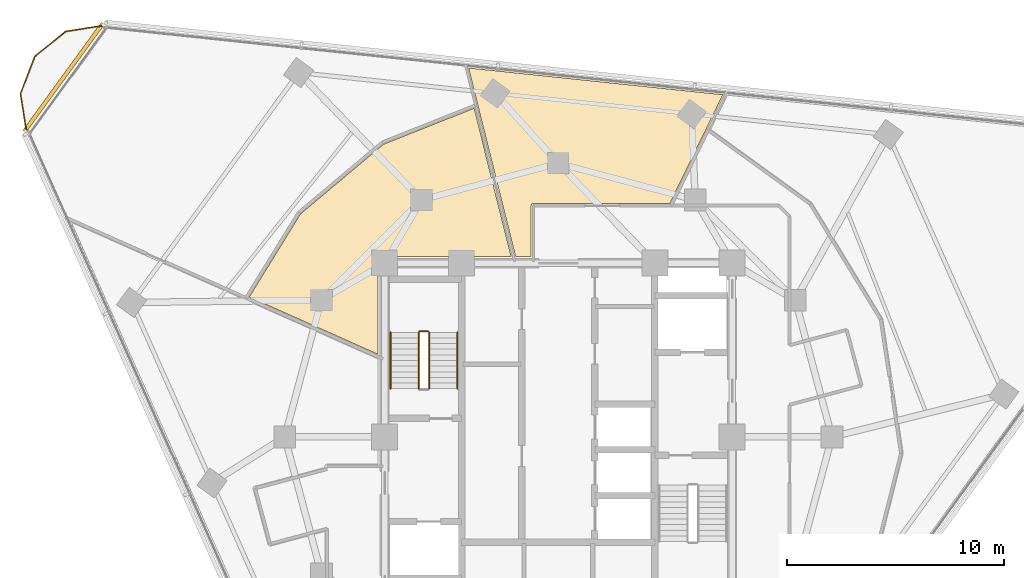
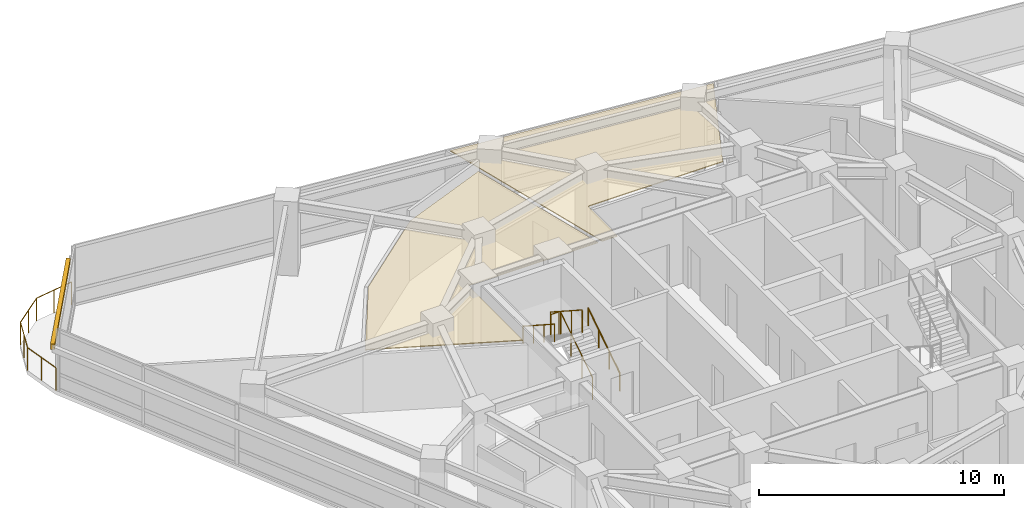
# One storey, part 14 of 15: 6 railings, 2 coverings, 1 shading device.
"""IFC4 building model written with IfcOpenShell, lengths in metres."""

from ifc_helpers import new_model, si_unit, direction, frame, origin, origin_2d, place, context, subcontext, project, spatial, polyline, rectangle, circle, outline, extrude, material, layer, layer_set, type_object, element, save


model = new_model("IFC4")

# Units and contexts
model_context = context("Model", 3, precision=1e-05, world=origin(), true_north=direction((0.0, 1.0)))
body_context = subcontext(model_context, "Body", "Model", "MODEL_VIEW")
ifc_project = project(units=[si_unit("LENGTHUNIT", "METRE"), si_unit("AREAUNIT", "SQUARE_METRE"), si_unit("VOLUMEUNIT", "CUBIC_METRE"), si_unit("PLANEANGLEUNIT", "RADIAN"), si_unit("MASSUNIT", "GRAM", prefix="KILO")], contexts=[model_context])

# Site, building, storey
site_placement = place(None, origin())
site = spatial("IfcSite", under=ifc_project, at=site_placement, CompositionType="ELEMENT")
building_placement = place(site_placement, origin())
building = spatial("IfcBuilding", under=site, at=building_placement, Name="Terralouvre Media Tower", CompositionType="ELEMENT")
storey_placement = place(building_placement, frame((0.0, 0.0, 237.39990234375)))
storey = spatial("IfcBuildingStorey", under=building, at=storey_placement, Name="L61", CompositionType="ELEMENT", Elevation=237.39990234375)

# Coverings
ifc_material_1 = material(Name="Perforated aluminium acoustic ceiling baffle", Category="aluminium")
ifc_layer_1 = layer(ifc_material_1, 0.0400390625, Name="Perforated Acoustic Metal Tile Ceiling CL-AC1")
ifc_layer_set_1 = layer_set([ifc_layer_1], Name="Perforated aluminium acoustic ceiling baffle")
covering_type = type_object("IfcCoveringType", Name="Perforated Acoustic Metal Tile Ceiling CL-AC1", PredefinedType="CEILING", material=ifc_layer_set_1)
covering_1_placement = place(storey_placement, frame((0.0, 0.0, 2.97998046875), z_axis=(0.0, 0.0, 1.0), x_axis=(0.587785252292, 0.809016994375, 0.0)))
element("IfcCovering", 1, at=covering_1_placement, inside=storey, type_object=covering_type, Name="L61 Legal Vetting Conference Room 8 Acoustic Ceiling", PredefinedType="CEILING", context=body_context, shape_type="SweptSolid", body=[
    extrude(outline(polyline([(5.565673828125, 6.477294921875), (5.98828125, 5.895751953125), (7.88134765625, 7.271240234375), (7.889404296875, 7.276611328125), (7.898193359375, 7.281005859375), (7.9072265625, 7.28466796875), (7.916748046875, 7.28759765625), (7.92626953125, 7.289306640625), (7.936279296875, 7.290283203125), (7.946044921875, 7.2900390625), (7.955810546875, 7.2890625), (7.96533203125, 7.287109375), (7.974609375, 7.2841796875), (7.983642578125, 7.2802734375), (7.992431640625, 7.275634765625), (8.00048828125, 7.27001953125), (8.008056640625, 7.263671875), (8.014892578125, 7.256591796875), (8.02099609375, 7.2490234375), (11.713134765625, 2.167236328125), (15.4658203125, 2.82861328125), (17.202392578125, 3.134521484375), (11.3154296875, 13.330322265625), (10.19287109375, 11.99267578125), (5.565673828125, 6.477294921875)])), origin(), (0.0, 0.0, 1.0), 0.0400390625),
])
covering_2_placement = place(storey_placement, frame((0.0, 0.0, 2.97998046875), z_axis=(0.0, 0.0, 1.0), x_axis=(0.587785252292, 0.809016994375, 0.0)))
element("IfcCovering", 2, at=covering_2_placement, inside=storey, type_object=covering_type, Name="L61 Fact-Check Reference Library 9 Acoustic Ceiling", PredefinedType="CEILING", context=body_context, shape_type="SweptSolid", body=[
    extrude(outline(polyline([(6.17626953125, 14.432861328125), (1.322509765625, 15.643310546875), (-3.150390625, 15.303955078125), (-1.802978515625, 8.9619140625), (1.757568359375, 11.548583984375), (1.765869140625, 11.553955078125), (1.7744140625, 11.55859375), (1.783447265625, 11.562255859375), (1.79296875, 11.56494140625), (1.802490234375, 11.56689453125), (1.8125, 11.567626953125), (1.822265625, 11.567626953125), (1.83203125, 11.56640625), (1.841552734375, 11.564453125), (1.850830078125, 11.5615234375), (1.85986328125, 11.5576171875), (1.86865234375, 11.552978515625), (1.876708984375, 11.54736328125), (1.88427734375, 11.541259765625), (1.89111328125, 11.5341796875), (1.897216796875, 11.526611328125), (5.444580078125, 6.64404296875), (9.966064453125, 12.033447265625), (6.17626953125, 14.432861328125)])), origin(), (0.0, 0.0, 1.0), 0.0400390625),
])

# Railings
ifc_material_2 = material(Name="Stainless steel 316 handrail and balustrade", Category="steel")
ifc_layer_2 = layer(ifc_material_2, 0.06005859375, Name="Roof Edge Safety Guardrail GR-ROOF1")
ifc_layer_set_2 = layer_set([ifc_layer_2], Name="Stainless steel 316 handrail and balustrade")
railing_type_1 = type_object("IfcRailingType", Name="Roof Edge Safety Guardrail GR-ROOF1", PredefinedType="GUARDRAIL", material=ifc_layer_set_2)
railing_1_placement = place(storey_placement, frame((-20.870361328125, 18.961181640625, 0.0)))
element("IfcRailing", 3, at=railing_1_placement, inside=storey, type_object=railing_type_1, Name="L61 Wind-Corner Perimeter Safety Guardrail C2", PredefinedType="GUARDRAIL", context=body_context, shape_type="SweptSolid", body=[
    extrude(circle(Radius=0.02099609375, at=origin_2d()), frame((0.0, 0.0, 1.12890625), z_axis=(-0.987731695444, -0.156160487372, 0.0), x_axis=(0.156160487372, -0.987731695444, 0.0)), (0.0, 0.0, 1.0), 1.8369140625),
    extrude(circle(Radius=0.02099609375, at=origin_2d()), frame((-1.814453125, -0.286865234375, 1.12890625), z_axis=(-0.777198436724, -0.629255583967, 0.0), x_axis=(0.629255583967, -0.777198436724, 0.0)), (0.0, 0.0, 1.0), 1.836669921875),
    extrude(circle(Radius=0.02099609375, at=origin_2d()), frame((-3.241943359375, -1.442626953125, 1.12890625), z_axis=(-0.35822186013, -0.933636491856, 0.0), x_axis=(0.933636491856, -0.35822186013, 0.0)), (0.0, 0.0, 1.0), 1.836669921875),
    extrude(circle(Radius=0.02099609375, at=origin_2d()), frame((-3.89990234375, -3.157470703125, 1.12890625), z_axis=(0.156699635824, -0.987646305178, 0.0), x_axis=(0.987646305178, 0.156699635824, 0.0)), (0.0, 0.0, 1.0), 1.8369140625),
    extrude(circle(Radius=0.01904296875, at=origin_2d()), origin(), (0.0, 0.0, 1.0), 1.10791015625),
    extrude(circle(Radius=0.01904296875, at=origin_2d()), frame((-0.9072265625, -0.1435546875, 0.0)), (0.0, 0.0, 1.0), 1.10791015625),
    extrude(circle(Radius=0.01904296875, at=origin_2d()), frame((-1.814453125, -0.286865234375, 0.0)), (0.0, 0.0, 1.0), 1.10791015625),
    extrude(circle(Radius=0.01904296875, at=origin_2d()), frame((-2.5283203125, -0.86474609375, 0.0)), (0.0, 0.0, 1.0), 1.10791015625),
    extrude(circle(Radius=0.01904296875, at=origin_2d()), frame((-3.241943359375, -1.442626953125, 0.0)), (0.0, 0.0, 1.0), 1.10791015625),
    extrude(circle(Radius=0.01904296875, at=origin_2d()), frame((-3.57080078125, -2.300048828125, 0.0)), (0.0, 0.0, 1.0), 1.10791015625),
    extrude(circle(Radius=0.01904296875, at=origin_2d()), frame((-3.89990234375, -3.157470703125, 0.0)), (0.0, 0.0, 1.0), 1.10791015625),
    extrude(circle(Radius=0.01904296875, at=origin_2d()), frame((-3.755859375, -4.064453125, 0.0)), (0.0, 0.0, 1.0), 1.10791015625),
    extrude(circle(Radius=0.01904296875, at=origin_2d()), frame((-3.612060546875, -4.9716796875, 0.0)), (0.0, 0.0, 1.0), 1.10791015625),
])
ifc_material_3 = material(Name="Stainless steel 316 handrail and balustrade", Category="steel")
ifc_layer_3 = layer(ifc_material_3, 0.050048828125, Name="Stair Flight Wall Handrail HR-INT1")
ifc_layer_set_3 = layer_set([ifc_layer_3], Name="Stainless steel 316 handrail and balustrade")
railing_type_2 = type_object("IfcRailingType", Name="Stair Flight Wall Handrail HR-INT1", PredefinedType="HANDRAIL", material=ifc_layer_set_3)
railing_2_placement = place(storey_placement, frame((-4.64990234375, 2.219970703125, 0.168212890625)))
element("IfcRailing", 4, at=railing_2_placement, inside=storey, type_object=railing_type_2, Name="L61 ST-01 stair handrail 1", PredefinedType="HANDRAIL", context=body_context, shape_type="SweptSolid", body=[
    extrude(circle(Radius=0.02392578125, at=origin_2d()), frame((0.0, 0.0, 0.8759765625), z_axis=(0.0, 0.839648411786, 0.543130320075), x_axis=(-1.0, 0.0, 0.0)), (0.0, 0.0, 1.0), 3.0966796875),
    extrude(circle(Radius=0.02099609375, at=origin_2d()), origin(), (0.0, 0.0, 1.0), 0.851806640625),
    extrude(circle(Radius=0.02099609375, at=origin_2d()), frame((0.0, 0.86669921875, 0.560546875)), (0.0, 0.0, 1.0), 0.851806640625),
    extrude(circle(Radius=0.02099609375, at=origin_2d()), frame((0.0, 1.7333984375, 1.121337890625)), (0.0, 0.0, 1.0), 0.851806640625),
    extrude(circle(Radius=0.02099609375, at=origin_2d()), frame((0.0, 2.60009765625, 1.681884765625)), (0.0, 0.0, 1.0), 0.851806640625),
])
railing_3_placement = place(storey_placement, frame((-7.72998046875, 4.820068359375, 2.018310546875)))
element("IfcRailing", 5, at=railing_3_placement, inside=storey, type_object=railing_type_2, Name="L61 ST-01 stair handrail 2", PredefinedType="HANDRAIL", context=body_context, shape_type="SweptSolid", body=[
    extrude(circle(Radius=0.02392578125, at=origin_2d()), frame((0.0, 0.0, 0.8759765625), z_axis=(0.0, -0.839648411786, 0.543130320075), x_axis=(1.0, 0.0, 0.0)), (0.0, 0.0, 1.0), 3.0966796875),
    extrude(circle(Radius=0.02099609375, at=origin_2d()), origin(), (0.0, 0.0, 1.0), 0.851806640625),
    extrude(circle(Radius=0.02099609375, at=origin_2d()), frame((0.0, -0.86669921875, 0.560546875)), (0.0, 0.0, 1.0), 0.851806640625),
    extrude(circle(Radius=0.02099609375, at=origin_2d()), frame((0.0, -1.7333984375, 1.121337890625)), (0.0, 0.0, 1.0), 0.851806640625),
    extrude(circle(Radius=0.02099609375, at=origin_2d()), frame((0.0, -2.60009765625, 1.681884765625)), (0.0, 0.0, 1.0), 0.851806640625),
])
ifc_material_4 = material(Name="Stainless steel 316 handrail and balustrade", Category="steel")
ifc_layer_4 = layer(ifc_material_4, 0.050048828125, Name="Stairwell Safety Guardrail GR-INT1")
ifc_layer_set_4 = layer_set([ifc_layer_4], Name="Stainless steel 316 handrail and balustrade")
railing_type_3 = type_object("IfcRailingType", Name="Stairwell Safety Guardrail GR-INT1", PredefinedType="GUARDRAIL", material=ifc_layer_set_4)
railing_4_placement = place(storey_placement, frame((-5.949951171875, 2.219970703125, 0.168212890625)))
element("IfcRailing", 6, at=railing_4_placement, inside=storey, type_object=railing_type_3, Name="L61 ST-01 stair guard 1", PredefinedType="GUARDRAIL", context=body_context, shape_type="SweptSolid", body=[
    extrude(circle(Radius=0.02392578125, at=origin_2d()), frame((0.0, 0.0, 1.1259765625), z_axis=(0.0, 0.839648411786, 0.543130320075), x_axis=(-1.0, 0.0, 0.0)), (0.0, 0.0, 1.0), 3.0966796875),
    extrude(circle(Radius=0.02099609375, at=origin_2d()), origin(), (0.0, 0.0, 1.0), 1.101806640625),
    extrude(circle(Radius=0.02099609375, at=origin_2d()), frame((0.0, 0.86669921875, 0.560546875)), (0.0, 0.0, 1.0), 1.101806640625),
    extrude(circle(Radius=0.02099609375, at=origin_2d()), frame((0.0, 1.7333984375, 1.121337890625)), (0.0, 0.0, 1.0), 1.101806640625),
    extrude(circle(Radius=0.02099609375, at=origin_2d()), frame((0.0, 2.60009765625, 1.681884765625)), (0.0, 0.0, 1.0), 1.101806640625),
])
railing_5_placement = place(storey_placement, frame((-6.0, 4.8701171875, 1.85009765625)))
element("IfcRailing", 7, at=railing_5_placement, inside=storey, type_object=railing_type_3, Name="L61 ST-01 stair guard 2", PredefinedType="GUARDRAIL", context=body_context, shape_type="SweptSolid", body=[
    extrude(circle(Radius=0.02392578125, at=origin_2d()), frame((0.0, 0.0, 1.1259765625), z_axis=(-1.0, 0.0, 0.0), x_axis=(0.0, -1.0, 0.0)), (0.0, 0.0, 1.0), 0.3798828125),
    extrude(circle(Radius=0.02099609375, at=origin_2d()), origin(), (0.0, 0.0, 1.0), 1.101806640625),
    extrude(circle(Radius=0.02099609375, at=origin_2d()), frame((-0.3798828125, 0.0, 0.0)), (0.0, 0.0, 1.0), 1.101806640625),
])
railing_6_placement = place(storey_placement, frame((-6.429931640625, 4.820068359375, 2.018310546875)))
element("IfcRailing", 8, at=railing_6_placement, inside=storey, type_object=railing_type_3, Name="L61 ST-01 stair guard 3", PredefinedType="GUARDRAIL", context=body_context, shape_type="SweptSolid", body=[
    extrude(circle(Radius=0.02392578125, at=origin_2d()), frame((0.0, 0.0, 1.1259765625), z_axis=(0.0, -0.839648411786, 0.543130320075), x_axis=(1.0, 0.0, 0.0)), (0.0, 0.0, 1.0), 3.0966796875),
    extrude(circle(Radius=0.02099609375, at=origin_2d()), origin(), (0.0, 0.0, 1.0), 1.101806640625),
    extrude(circle(Radius=0.02099609375, at=origin_2d()), frame((0.0, -0.86669921875, 0.560546875)), (0.0, 0.0, 1.0), 1.101806640625),
    extrude(circle(Radius=0.02099609375, at=origin_2d()), frame((0.0, -1.7333984375, 1.121337890625)), (0.0, 0.0, 1.0), 1.101806640625),
    extrude(circle(Radius=0.02099609375, at=origin_2d()), frame((0.0, -2.60009765625, 1.681884765625)), (0.0, 0.0, 1.0), 1.101806640625),
])

# Shading device
ifc_material_5 = material(Name="Extruded terracotta baguette sunshade louvres", Category="masonry")
shading_device_type = type_object("IfcShadingDeviceType", Name="Terracotta Baguette Sunshade Louvre Screen TB-LV1", PredefinedType="USERDEFINED", material=ifc_material_5)
shading_device_placement = place(storey_placement, frame((-22.785400390625, 16.5546875, 2.02392578125), z_axis=(0.0, 0.0, 1.0), x_axis=(-0.58778588998, -0.809016531067, 0.0)))
element("IfcShadingDevice", 9, at=shading_device_placement, inside=storey, type_object=shading_device_type, Name="CW-L61-C2 Terracotta Baguette Sunshade Louvre", ObjectType="BAGUETTE", PredefinedType="USERDEFINED", context=body_context, shape_type="SweptSolid", body=[
    extrude(rectangle(XDim=6.148681640625, YDim=0.179931640625, at=origin_2d()), origin(), (0.0, 0.0, 1.0), 0.280029296875),
])

save(model, "model.ifc")
